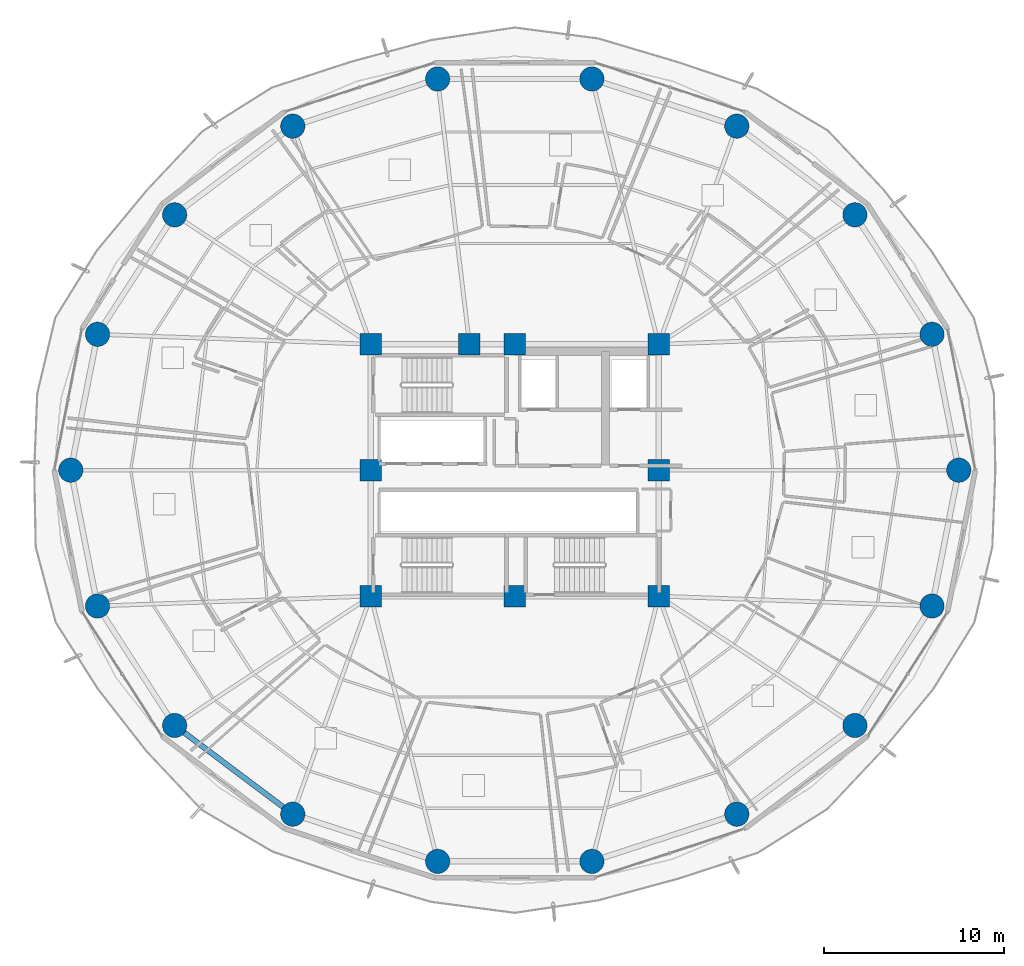
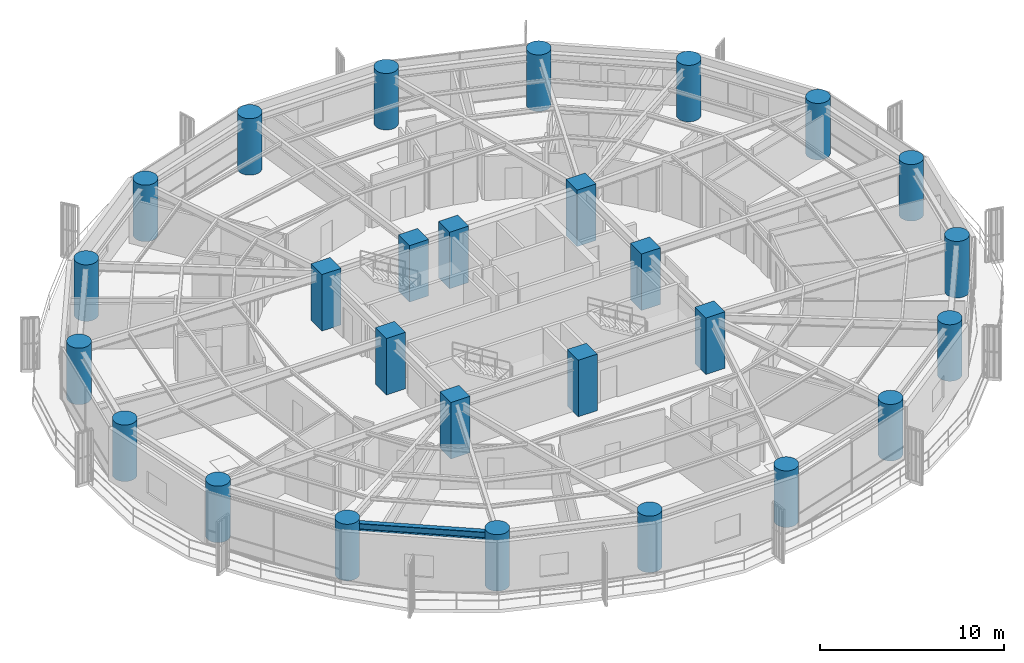
# One storey, part 1 of 37: 27 columns, 1 beam.
"""IFC4 building model written with IfcOpenShell, lengths in metres."""

from ifc_helpers import new_model, si_unit, direction, frame, origin, origin_2d, place, context, subcontext, project, spatial, rectangle, circle, i_section, extrude, material, material_profile, profile_set, type_object, element, save


model = new_model("IFC4")

# Units and contexts
model_context = context("Model", 3, precision=1e-05, world=origin(), true_north=direction((0.0, 1.0)))
body_context = subcontext(model_context, "Body", "Model", "MODEL_VIEW")
ifc_project = project(units=[si_unit("LENGTHUNIT", "METRE"), si_unit("AREAUNIT", "SQUARE_METRE"), si_unit("VOLUMEUNIT", "CUBIC_METRE"), si_unit("PLANEANGLEUNIT", "RADIAN"), si_unit("MASSUNIT", "GRAM", prefix="KILO")], contexts=[model_context])

# Site, building, storey
site_placement = place(None, origin())
site = spatial("IfcSite", under=ifc_project, at=site_placement, CompositionType="ELEMENT")
building_placement = place(site_placement, origin())
building = spatial("IfcBuilding", under=site, at=building_placement, Name="Kelanora Arch Commons", CompositionType="ELEMENT")
storey_placement = place(building_placement, frame((0.0, 0.0, 113.85009765625)))
storey = spatial("IfcBuildingStorey", under=building, at=storey_placement, Name="L29", CompositionType="ELEMENT", Elevation=113.85009765625)

# Columns
ifc_material_1 = material(Name="Concrete C60/75", Category="concrete")
ifc_material_profile_1 = material_profile(ifc_material_1, circle(Radius=0.675048828125, at=origin_2d()), Name="RCC1350")
ifc_profile_set_1 = profile_set([ifc_material_profile_1], Name="Concrete C60/75")
column_type_1 = type_object("IfcColumnType", Name="COL-PERIM-Z2", PredefinedType="COLUMN", material=ifc_profile_set_1)
for number, where, z_axis, x_axis, name in (
    (1, (98.679931640625, 58.0, 0.0), (0.0, 0.0, 1.0), (1.0, 0.0, 0.0), "Perimeter Ring Column CP-00 L29"),
    (2, (97.191650390625, 65.5517578125, 0.0), (0.0, 0.0, 1.0), (1.0, 0.0, 0.0), "Perimeter Ring Column CP-02 L29"),
    (3, (92.906005859375, 72.19287109375, 0.0), (0.0, 0.0, 1.0), (1.0, 0.0, 0.0), "Perimeter Ring Column CP-04 L29"),
    (4, (86.340087890625, 77.121826171875, 0.0), (0.0, 0.0, 1.0), (1.0, 0.0, 0.0), "Perimeter Ring Column CP-06 L29"),
    (5, (78.28564453125, 79.74462890625, 0.0), (0.0, 0.0, 1.0), (1.0, 0.0, 0.0), "Perimeter Ring Column CP-08 L29"),
    (6, (69.71435546875, 79.74462890625, 0.0), (0.0, 0.0, 1.0), (1.0, 0.0, 0.0), "Perimeter Ring Column CP-10 L29"),
    (7, (61.659912109375, 77.121826171875, 0.0), (0.0, 0.0, 1.0), (1.0, 0.0, 0.0), "Perimeter Ring Column CP-12 L29"),
    (8, (55.093994140625, 72.19287109375, 0.0), (0.0, 0.0, 1.0), (1.0, 0.0, 0.0), "Perimeter Ring Column CP-14 L29"),
    (9, (50.808349609375, 65.5517578125, 0.0), (0.0, 0.0, 1.0), (1.0, 0.0, 0.0), "Perimeter Ring Column CP-16 L29"),
    (10, (49.320068359375, 58.0, 0.0), (0.0, 0.0, 1.0), (1.0, 0.0, 0.0), "Perimeter Ring Column CP-18 L29"),
    (11, (50.808349609375, 50.4482421875, 0.0), (0.0, 0.0, 1.0), (1.0, 0.0, 0.0), "Perimeter Ring Column CP-20 L29"),
    (12, (55.093994140625, 43.80712890625, 0.0), (0.0, 0.0, 1.0), (1.0, 0.0, 0.0), "Perimeter Ring Column CP-22 L29"),
    (13, (61.659912109375, 38.878173828125, 0.0), (0.0, 0.0, 1.0), (1.0, 0.0, 0.0), "Perimeter Ring Column CP-24 L29"),
    (14, (69.71435546875, 36.25537109375, 0.0), (0.0, 0.0, 1.0), (1.0, 0.0, 0.0), "Perimeter Ring Column CP-26 L29"),
    (15, (78.28564453125, 36.25537109375, 0.0), (0.0, 0.0, 1.0), (1.0, 0.0, 0.0), "Perimeter Ring Column CP-28 L29"),
    (16, (86.340087890625, 38.878173828125, 0.0), (0.0, 0.0, 1.0), (1.0, 0.0, 0.0), "Perimeter Ring Column CP-30 L29"),
    (17, (92.906005859375, 43.80712890625, 0.0), (0.0, 0.0, 1.0), (1.0, 0.0, 0.0), "Perimeter Ring Column CP-32 L29"),
    (18, (97.191650390625, 50.4482421875, 0.0), (0.0, 0.0, 1.0), (1.0, 0.0, 0.0), "Perimeter Ring Column CP-34 L29"),
):
    element("IfcColumn", number, at=place(storey_placement, frame(where, z_axis=z_axis, x_axis=x_axis)), inside=storey, type_object=column_type_1, Name=name, PredefinedType="COLUMN", context=body_context, shape_type="SweptSolid", body=[
        extrude(circle(Radius=0.675048828125, at=origin_2d()), origin(), (0.0, 0.0, 1.0), 3.75),
    ])
ifc_material_profile_2 = material_profile(ifc_material_1, rectangle(XDim=1.199951171875, YDim=1.199951171875, at=origin_2d()), Name="RC1200x1200")
ifc_profile_set_2 = profile_set([ifc_material_profile_2], Name="Concrete C60/75")
column_type_2 = type_object("IfcColumnType", Name="COL-PIL-MID", PredefinedType="PILASTER", material=ifc_profile_set_2)
for number, where, z_axis, x_axis, name in (
    (19, (66.0, 51.0, 0.0), (0.0, 0.0, 1.0), (1.0, 0.0, 0.0), "Core Pilaster Column CP1 L29"),
    (20, (74.0, 51.0, 0.0), (0.0, 0.0, 1.0), (1.0, 0.0, 0.0), "Core Pilaster Column CP2 L29"),
    (21, (82.0, 51.0, 0.0), (0.0, 0.0, 1.0), (1.0, 0.0, 0.0), "Core Pilaster Column CP3 L29"),
    (22, (82.0, 58.0, 0.0), (0.0, 0.0, 1.0), (1.0, 0.0, 0.0), "Core Pilaster Column CP4 L29"),
    (23, (82.0, 65.0, 0.0), (0.0, 0.0, 1.0), (1.0, 0.0, 0.0), "Core Pilaster Column CP5 L29"),
    (24, (74.0, 65.0, 0.0), (0.0, 0.0, 1.0), (1.0, 0.0, 0.0), "Core Pilaster Column CP6 L29"),
    (25, (71.47998046875, 65.0, 0.0), (0.0, 0.0, 1.0), (1.0, 0.0, 0.0), "Core Pilaster Column CP9 L29"),
    (26, (66.0, 65.0, 0.0), (0.0, 0.0, 1.0), (1.0, 0.0, 0.0), "Core Pilaster Column CP7 L29"),
    (27, (66.0, 58.0, 0.0), (0.0, 0.0, 1.0), (1.0, 0.0, 0.0), "Core Pilaster Column CP8 L29"),
):
    element("IfcColumn", number, at=place(storey_placement, frame(where, z_axis=z_axis, x_axis=x_axis)), inside=storey, type_object=column_type_2, Name=name, PredefinedType="PILASTER", context=body_context, shape_type="SweptSolid", body=[
        extrude(rectangle(XDim=1.199951171875, YDim=1.199951171875, at=origin_2d()), origin(), (0.0, 0.0, 1.0), 3.75),
    ])

# Beam
ifc_material_2 = material(Name="Steel S355", Category="steel")
ifc_material_profile_3 = material_profile(ifc_material_2, i_section(OverallWidth=0.300048828125, OverallDepth=0.5, WebThickness=0.014404296875, FlangeThickness=0.028076171875, FilletRadius=0.027099609375, at=origin_2d()), Name="HEB500")
ifc_profile_set_3 = profile_set([ifc_material_profile_3], Name="Steel S355")
beam_type = type_object("IfcBeamType", Name="BM-SPN-Z2", PredefinedType="SPANDREL", material=ifc_profile_set_3)
beam_placement = place(storey_placement, frame((55.093994140625, 43.80712890625, 3.239990234375), z_axis=(0.799735861602, -0.600352023123, 0.0), x_axis=(0.600352023123, 0.799735861602, 0.0)))
element("IfcBeam", 28, at=beam_placement, inside=storey, type_object=beam_type, Name="Perimeter Spandrel Beam BS-22 L29", PredefinedType="SPANDREL", context=body_context, shape_type="SweptSolid", body=[
    extrude(i_section(OverallWidth=0.300048828125, OverallDepth=0.5, WebThickness=0.014404296875, FlangeThickness=0.028076171875, FilletRadius=0.027099609375, at=origin_2d()), origin(), (0.0, 0.0, 1.0), 8.210205078125),
])

save(model, "model.ifc")
